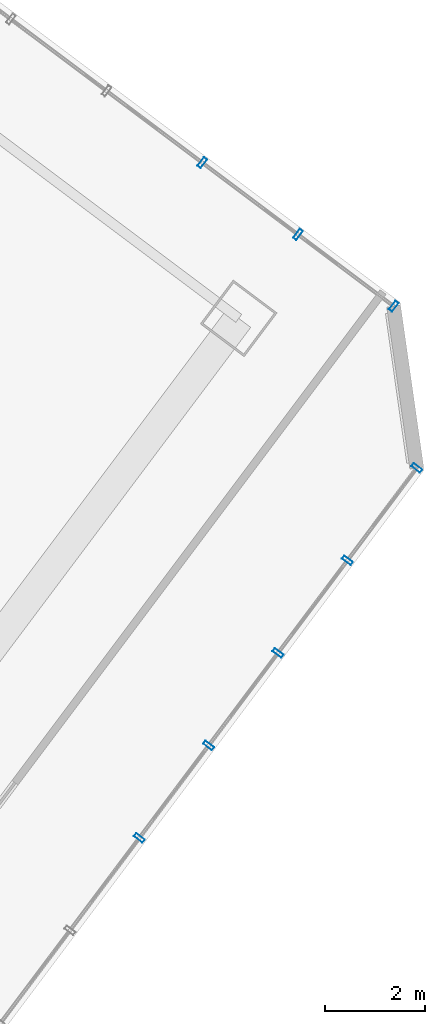
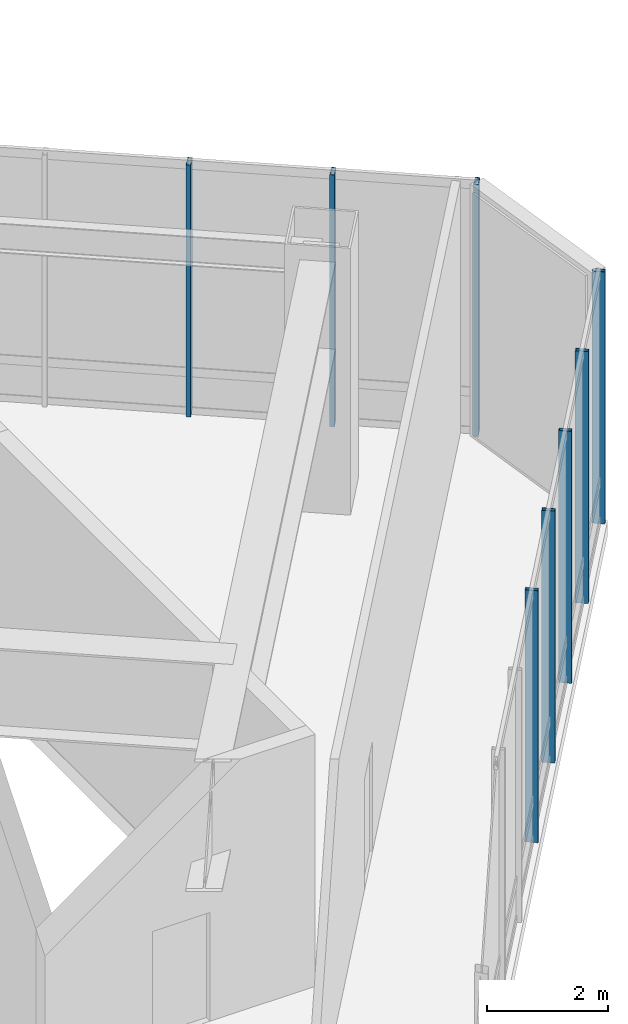
# One storey, part 29 of 38: 8 members, 2 elements without a shape of their own.
"""IFC4 building model written with IfcOpenShell, lengths in metres."""

from ifc_helpers import new_model, si_unit, direction, frame, origin, origin_2d, place, context, subcontext, project, spatial, hollow_rectangle, extrude, material, layer, layer_set, material_profile, profile_set, type_object, element, aggregate, save


model = new_model("IFC4")

# Units and contexts
model_context = context("Model", 3, precision=1e-05, world=origin(), true_north=direction((0.0, 1.0)))
body_context = subcontext(model_context, "Body", "Model", "MODEL_VIEW")
ifc_project = project(units=[si_unit("LENGTHUNIT", "METRE"), si_unit("AREAUNIT", "SQUARE_METRE"), si_unit("VOLUMEUNIT", "CUBIC_METRE"), si_unit("PLANEANGLEUNIT", "RADIAN"), si_unit("MASSUNIT", "GRAM", prefix="KILO")], contexts=[model_context])

# Site, building, storey
site_placement = place(None, origin())
site = spatial("IfcSite", under=ifc_project, at=site_placement, CompositionType="ELEMENT")
building_placement = place(site_placement, origin())
building = spatial("IfcBuilding", under=site, at=building_placement, Name="Hatsunagi Terrace Concourse", CompositionType="ELEMENT")
storey_placement = place(building_placement, frame((0.0, 0.0, 21.60009765625)))
storey = spatial("IfcBuildingStorey", under=building, at=storey_placement, Name="L05", CompositionType="ELEMENT", Elevation=21.60009765625)

# Curtain wall, members
ifc_material_1 = material(Name="Anodised Aluminium Alloy 6063-T5", Category="aluminium")
ifc_layer = layer(ifc_material_1, 0.199951171875)
ifc_layer_set = layer_set([ifc_layer], Name="PodiumStorefront_CW01")
curtain_wall_type = type_object("IfcCurtainWallType", Name="PodiumStorefront_CW01", PredefinedType="NOTDEFINED", material=ifc_layer_set)
curtain_wall_1_placement = place(storey_placement, origin())
curtain_wall_1 = element("IfcCurtainWall", 1, at=curtain_wall_1_placement, inside=storey, type_object=curtain_wall_type, Name="Unitised Curtain Wall CW-01 CW-L05-01", PredefinedType="NOTDEFINED")
ifc_material_2 = material(Name="Anodised Aluminium Alloy 6063-T5", Category="aluminium")
ifc_material_profile = material_profile(ifc_material_2, hollow_rectangle(XDim=0.080078125, YDim=0.219970703125, WallThickness=0.0048828125, at=origin_2d()), Name="ALU-MUL-220x80x5")
ifc_profile_set = profile_set([ifc_material_profile], Name="Anodised Aluminium Alloy 6063-T5")
member_type = type_object("IfcMemberType", Name="CurtainWallMullion_Heavy_220x80", PredefinedType="MULLION", material=ifc_profile_set)
member_1_placement = place(storey_placement, frame((65.988037109375, 24.884033203125, 0.0), z_axis=(0.0, 0.0, 1.0), x_axis=(0.800007305671, -0.599990258982, 0.0)))
member_1 = element("IfcMember", 2, at=member_1_placement, type_object=member_type, Name="Curtain Wall Mullion MUL-01", PredefinedType="MULLION", context=body_context, shape_type="SweptSolid", body=[
    extrude(hollow_rectangle(XDim=0.080078125, YDim=0.219970703125, WallThickness=0.0048828125, at=origin_2d()), origin(), (0.0, 0.0, 1.0), 5.099853515625),
])
member_2_placement = place(storey_placement, frame((67.908935546875, 23.444091796875, 0.0), z_axis=(0.0, 0.0, 1.0), x_axis=(0.800007305671, -0.599990258982, 0.0)))
member_2 = element("IfcMember", 3, at=member_2_placement, type_object=member_type, Name="Curtain Wall Mullion MUL-01", PredefinedType="MULLION", context=body_context, shape_type="SweptSolid", body=[
    extrude(hollow_rectangle(XDim=0.080078125, YDim=0.219970703125, WallThickness=0.0048828125, at=origin_2d()), origin(), (0.0, 0.0, 1.0), 5.099853515625),
])
member_3_placement = place(storey_placement, frame((69.830078125, 22.0029296875, 0.0), z_axis=(0.0, 0.0, 1.0), x_axis=(0.800007305671, -0.599990258982, 0.0)))
member_3 = element("IfcMember", 4, at=member_3_placement, type_object=member_type, Name="Curtain Wall Mullion MUL-01", PredefinedType="MULLION", context=body_context, shape_type="SweptSolid", body=[
    extrude(hollow_rectangle(XDim=0.080078125, YDim=0.219970703125, WallThickness=0.0048828125, at=origin_2d()), origin(), (0.0, 0.0, 1.0), 5.099853515625),
])
aggregate(curtain_wall_1, [member_1, member_2, member_3])

curtain_wall_2_placement = place(storey_placement, origin())
curtain_wall_2 = element("IfcCurtainWall", 5, at=curtain_wall_2_placement, inside=storey, type_object=curtain_wall_type, Name="Unitised Curtain Wall CW-01 CW-L05-03", PredefinedType="NOTDEFINED")
member_4_placement = place(storey_placement, frame((70.29296875, 18.758056640625, 0.0), z_axis=(0.0, 0.0, 1.0), x_axis=(-0.599969314634, -0.800023013105, 0.0)))
member_4 = element("IfcMember", 6, at=member_4_placement, type_object=member_type, Name="Curtain Wall Mullion MUL-01", PredefinedType="MULLION", context=body_context, shape_type="SweptSolid", body=[
    extrude(hollow_rectangle(XDim=0.080078125, YDim=0.219970703125, WallThickness=0.0048828125, at=origin_2d()), origin(), (0.0, 0.0, 1.0), 5.099853515625),
])
member_5_placement = place(storey_placement, frame((68.90087890625, 16.902099609375, 0.0), z_axis=(0.0, 0.0, 1.0), x_axis=(-0.599969314634, -0.800023013105, 0.0)))
member_5 = element("IfcMember", 7, at=member_5_placement, type_object=member_type, Name="Curtain Wall Mullion MUL-01", PredefinedType="MULLION", context=body_context, shape_type="SweptSolid", body=[
    extrude(hollow_rectangle(XDim=0.080078125, YDim=0.219970703125, WallThickness=0.0048828125, at=origin_2d()), origin(), (0.0, 0.0, 1.0), 5.099853515625),
])
member_6_placement = place(storey_placement, frame((67.509033203125, 15.044921875, 0.0), z_axis=(0.0, 0.0, 1.0), x_axis=(-0.599969314634, -0.800023013105, 0.0)))
member_6 = element("IfcMember", 8, at=member_6_placement, type_object=member_type, Name="Curtain Wall Mullion MUL-01", PredefinedType="MULLION", context=body_context, shape_type="SweptSolid", body=[
    extrude(hollow_rectangle(XDim=0.080078125, YDim=0.219970703125, WallThickness=0.0048828125, at=origin_2d()), origin(), (0.0, 0.0, 1.0), 5.099853515625),
])
member_7_placement = place(storey_placement, frame((66.115966796875, 13.18896484375, 0.0), z_axis=(0.0, 0.0, 1.0), x_axis=(-0.599969314634, -0.800023013105, 0.0)))
member_7 = element("IfcMember", 9, at=member_7_placement, type_object=member_type, Name="Curtain Wall Mullion MUL-01", PredefinedType="MULLION", context=body_context, shape_type="SweptSolid", body=[
    extrude(hollow_rectangle(XDim=0.080078125, YDim=0.219970703125, WallThickness=0.0048828125, at=origin_2d()), origin(), (0.0, 0.0, 1.0), 5.099853515625),
])
member_8_placement = place(storey_placement, frame((64.72412109375, 11.33203125, 0.0), z_axis=(0.0, 0.0, 1.0), x_axis=(-0.599969314634, -0.800023013105, 0.0)))
member_8 = element("IfcMember", 10, at=member_8_placement, type_object=member_type, Name="Curtain Wall Mullion MUL-01", PredefinedType="MULLION", context=body_context, shape_type="SweptSolid", body=[
    extrude(hollow_rectangle(XDim=0.080078125, YDim=0.219970703125, WallThickness=0.0048828125, at=origin_2d()), origin(), (0.0, 0.0, 1.0), 5.099853515625),
])
aggregate(curtain_wall_2, [member_4, member_5, member_6, member_7, member_8])

save(model, "model.ifc")
